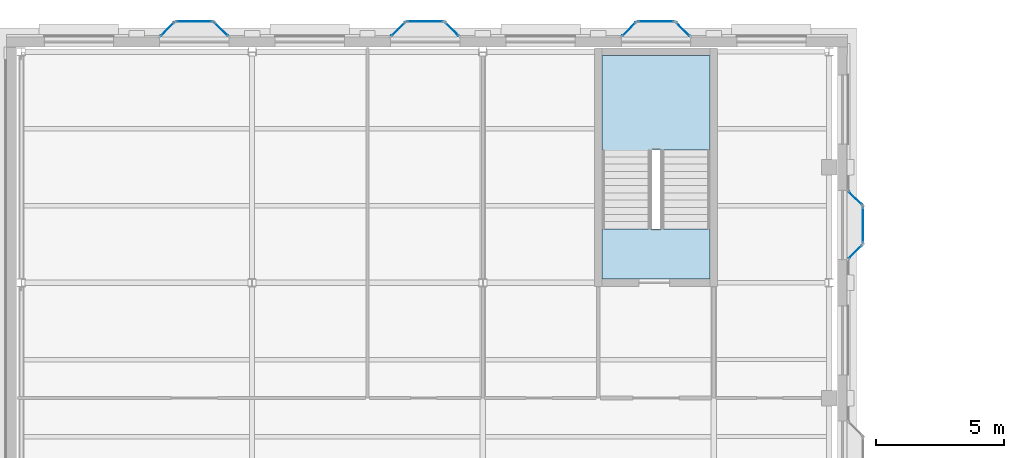
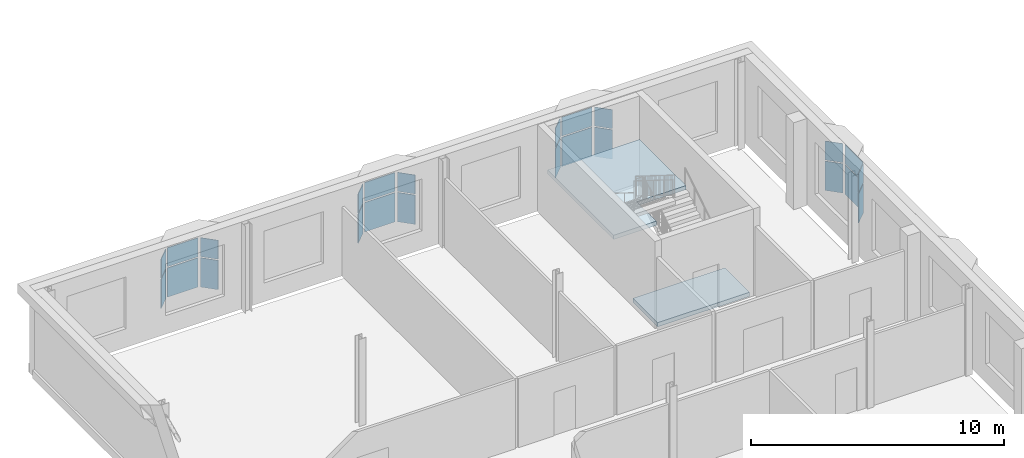
# One storey, part 31 of 62: 24 plates, 2 slabs, 13 elements without a shape of their own.
"""IFC4 building model written with IfcOpenShell, lengths in metres."""

from ifc_helpers import new_model, si_unit, direction, frame, origin, origin_2d, place, context, subcontext, project, spatial, polyline, rectangle, outline, extrude, material, layer, layer_set, type_object, element, aggregate, save


model = new_model("IFC4")

# Units and contexts
model_context = context("Model", 3, precision=1e-05, world=origin(), true_north=direction((0.0, 1.0)))
body_context = subcontext(model_context, "Body", "Model", "MODEL_VIEW")
ifc_project = project(units=[si_unit("LENGTHUNIT", "METRE"), si_unit("AREAUNIT", "SQUARE_METRE"), si_unit("VOLUMEUNIT", "CUBIC_METRE"), si_unit("PLANEANGLEUNIT", "RADIAN"), si_unit("MASSUNIT", "GRAM", prefix="KILO")], contexts=[model_context])

# Site, building, storey
site_placement = place(None, origin())
site = spatial("IfcSite", under=ifc_project, at=site_placement, CompositionType="ELEMENT")
building_placement = place(site_placement, origin())
building = spatial("IfcBuilding", under=site, at=building_placement, Name="Hortulan Conservatory and Botanical Research Centre", CompositionType="ELEMENT")
storey_placement = place(building_placement, frame((0.0, 0.0, 15.0)))
storey = spatial("IfcBuildingStorey", under=building, at=storey_placement, Name="L03", CompositionType="ELEMENT", Elevation=15.0)

# Curtain wall, plates
ifc_material_1 = material(Name="Bronze-finished aluminium", Category="aluminium")
ifc_layer_1 = layer(ifc_material_1, 0.10009765625)
ifc_layer_set_1 = layer_set([ifc_layer_1], Name="Oriel Curtain Wall 1350 module")
curtain_wall_type = type_object("IfcCurtainWallType", Name="Oriel Curtain Wall 1350 module", PredefinedType="NOTDEFINED", material=ifc_layer_set_1)
curtain_wall_1_placement = place(storey_placement, origin())
curtain_wall_1 = element("IfcCurtainWall", 1, at=curtain_wall_1_placement, inside=storey, type_object=curtain_wall_type, Name="Oriel glazing", PredefinedType="NOTDEFINED")
ifc_material_2 = material(Name="Low-e laminated glass", Category="glass")
ifc_layer_2 = layer(ifc_material_2, 0.028076171875)
ifc_layer_set_2 = layer_set([ifc_layer_2], Name="Laminated Glass Panel 28")
plate_type = type_object("IfcPlateType", Name="Laminated Glass Panel 28", PredefinedType="CURTAIN_PANEL", material=ifc_layer_set_2)
plate_1_placement = place(storey_placement, frame((5.699951171875, 72.885498046875, 0.9599609375), z_axis=(0.0, 0.0, 1.0), x_axis=(0.707106781187, 0.707106781187, 0.0)))
plate_1 = element("IfcPlate", 2, at=plate_1_placement, type_object=plate_type, Name="CW2 panel 1.1", PredefinedType="CURTAIN_PANEL", context=body_context, shape_type="SweptSolid", body=[
    extrude(rectangle(XDim=0.728515625, YDim=0.028076171875, at=origin_2d()), origin(), (0.0, 0.0, 1.0), 1.409912109375),
])
plate_2_placement = place(storey_placement, frame((5.699951171875, 72.885498046875, 2.43017578125), z_axis=(0.0, 0.0, 1.0), x_axis=(0.707106781187, 0.707106781187, 0.0)))
plate_2 = element("IfcPlate", 3, at=plate_2_placement, type_object=plate_type, Name="CW2 panel 1.2", PredefinedType="CURTAIN_PANEL", context=body_context, shape_type="SweptSolid", body=[
    extrude(rectangle(XDim=0.728515625, YDim=0.028076171875, at=origin_2d()), origin(), (0.0, 0.0, 1.0), 0.909912109375),
])
aggregate(curtain_wall_1, [plate_1, plate_2])

curtain_wall_2_placement = place(storey_placement, origin())
curtain_wall_2 = element("IfcCurtainWall", 4, at=curtain_wall_2_placement, inside=storey, type_object=curtain_wall_type, Name="Oriel glazing", PredefinedType="NOTDEFINED")
plate_3_placement = place(storey_placement, frame((6.75, 73.185546875, 0.9599609375), z_axis=(0.0, 0.0, 1.0), x_axis=(1.0, 0.0, 0.0)))
plate_3 = element("IfcPlate", 5, at=plate_3_placement, type_object=plate_type, Name="CW2 panel 1.1", PredefinedType="CURTAIN_PANEL", context=body_context, shape_type="SweptSolid", body=[
    extrude(rectangle(XDim=1.3798828125, YDim=0.028076171875, at=origin_2d()), origin(), (0.0, 0.0, 1.0), 1.409912109375),
])
plate_4_placement = place(storey_placement, frame((6.75, 73.185546875, 2.43017578125), z_axis=(0.0, 0.0, 1.0), x_axis=(1.0, 0.0, 0.0)))
plate_4 = element("IfcPlate", 6, at=plate_4_placement, type_object=plate_type, Name="CW2 panel 1.2", PredefinedType="CURTAIN_PANEL", context=body_context, shape_type="SweptSolid", body=[
    extrude(rectangle(XDim=1.3798828125, YDim=0.028076171875, at=origin_2d()), origin(), (0.0, 0.0, 1.0), 0.909912109375),
])
aggregate(curtain_wall_2, [plate_3, plate_4])

curtain_wall_3_placement = place(storey_placement, origin())
curtain_wall_3 = element("IfcCurtainWall", 7, at=curtain_wall_3_placement, inside=storey, type_object=curtain_wall_type, Name="Oriel glazing", PredefinedType="NOTDEFINED")
plate_5_placement = place(storey_placement, frame((7.800048828125, 72.885498046875, 0.9599609375), z_axis=(0.0, 0.0, 1.0), x_axis=(0.707106781187, -0.707106781187, 0.0)))
plate_5 = element("IfcPlate", 8, at=plate_5_placement, type_object=plate_type, Name="CW2 panel 1.1", PredefinedType="CURTAIN_PANEL", context=body_context, shape_type="SweptSolid", body=[
    extrude(rectangle(XDim=0.728515625, YDim=0.028076171875, at=origin_2d()), origin(), (0.0, 0.0, 1.0), 1.409912109375),
])
plate_6_placement = place(storey_placement, frame((7.800048828125, 72.885498046875, 2.43017578125), z_axis=(0.0, 0.0, 1.0), x_axis=(0.707106781187, -0.707106781187, 0.0)))
plate_6 = element("IfcPlate", 9, at=plate_6_placement, type_object=plate_type, Name="CW2 panel 1.2", PredefinedType="CURTAIN_PANEL", context=body_context, shape_type="SweptSolid", body=[
    extrude(rectangle(XDim=0.728515625, YDim=0.028076171875, at=origin_2d()), origin(), (0.0, 0.0, 1.0), 0.909912109375),
])
aggregate(curtain_wall_3, [plate_5, plate_6])

curtain_wall_4_placement = place(storey_placement, origin())
curtain_wall_4 = element("IfcCurtainWall", 10, at=curtain_wall_4_placement, inside=storey, type_object=curtain_wall_type, Name="Oriel glazing", PredefinedType="NOTDEFINED")
plate_7_placement = place(storey_placement, frame((14.699951171875, 72.885498046875, 0.9599609375), z_axis=(0.0, 0.0, 1.0), x_axis=(0.707106781187, 0.707106781187, 0.0)))
plate_7 = element("IfcPlate", 11, at=plate_7_placement, type_object=plate_type, Name="CW2 panel 1.1", PredefinedType="CURTAIN_PANEL", context=body_context, shape_type="SweptSolid", body=[
    extrude(rectangle(XDim=0.728515625, YDim=0.028076171875, at=origin_2d()), origin(), (0.0, 0.0, 1.0), 1.409912109375),
])
plate_8_placement = place(storey_placement, frame((14.699951171875, 72.885498046875, 2.43017578125), z_axis=(0.0, 0.0, 1.0), x_axis=(0.707106781187, 0.707106781187, 0.0)))
plate_8 = element("IfcPlate", 12, at=plate_8_placement, type_object=plate_type, Name="CW2 panel 1.2", PredefinedType="CURTAIN_PANEL", context=body_context, shape_type="SweptSolid", body=[
    extrude(rectangle(XDim=0.728515625, YDim=0.028076171875, at=origin_2d()), origin(), (0.0, 0.0, 1.0), 0.909912109375),
])
aggregate(curtain_wall_4, [plate_7, plate_8])

curtain_wall_5_placement = place(storey_placement, origin())
curtain_wall_5 = element("IfcCurtainWall", 13, at=curtain_wall_5_placement, inside=storey, type_object=curtain_wall_type, Name="Oriel glazing", PredefinedType="NOTDEFINED")
plate_9_placement = place(storey_placement, frame((15.75, 73.185546875, 0.9599609375), z_axis=(0.0, 0.0, 1.0), x_axis=(1.0, 0.0, 0.0)))
plate_9 = element("IfcPlate", 14, at=plate_9_placement, type_object=plate_type, Name="CW2 panel 1.1", PredefinedType="CURTAIN_PANEL", context=body_context, shape_type="SweptSolid", body=[
    extrude(rectangle(XDim=1.3798828125, YDim=0.028076171875, at=origin_2d()), origin(), (0.0, 0.0, 1.0), 1.409912109375),
])
plate_10_placement = place(storey_placement, frame((15.75, 73.185546875, 2.43017578125), z_axis=(0.0, 0.0, 1.0), x_axis=(1.0, 0.0, 0.0)))
plate_10 = element("IfcPlate", 15, at=plate_10_placement, type_object=plate_type, Name="CW2 panel 1.2", PredefinedType="CURTAIN_PANEL", context=body_context, shape_type="SweptSolid", body=[
    extrude(rectangle(XDim=1.3798828125, YDim=0.028076171875, at=origin_2d()), origin(), (0.0, 0.0, 1.0), 0.909912109375),
])
aggregate(curtain_wall_5, [plate_9, plate_10])

curtain_wall_6_placement = place(storey_placement, origin())
curtain_wall_6 = element("IfcCurtainWall", 16, at=curtain_wall_6_placement, inside=storey, type_object=curtain_wall_type, Name="Oriel glazing", PredefinedType="NOTDEFINED")
plate_11_placement = place(storey_placement, frame((16.800048828125, 72.885498046875, 0.9599609375), z_axis=(0.0, 0.0, 1.0), x_axis=(0.707106781187, -0.707106781187, 0.0)))
plate_11 = element("IfcPlate", 17, at=plate_11_placement, type_object=plate_type, Name="CW2 panel 1.1", PredefinedType="CURTAIN_PANEL", context=body_context, shape_type="SweptSolid", body=[
    extrude(rectangle(XDim=0.728515625, YDim=0.028076171875, at=origin_2d()), origin(), (0.0, 0.0, 1.0), 1.409912109375),
])
plate_12_placement = place(storey_placement, frame((16.800048828125, 72.885498046875, 2.43017578125), z_axis=(0.0, 0.0, 1.0), x_axis=(0.707106781187, -0.707106781187, 0.0)))
plate_12 = element("IfcPlate", 18, at=plate_12_placement, type_object=plate_type, Name="CW2 panel 1.2", PredefinedType="CURTAIN_PANEL", context=body_context, shape_type="SweptSolid", body=[
    extrude(rectangle(XDim=0.728515625, YDim=0.028076171875, at=origin_2d()), origin(), (0.0, 0.0, 1.0), 0.909912109375),
])
aggregate(curtain_wall_6, [plate_11, plate_12])

curtain_wall_7_placement = place(storey_placement, origin())
curtain_wall_7 = element("IfcCurtainWall", 19, at=curtain_wall_7_placement, inside=storey, type_object=curtain_wall_type, Name="Oriel glazing", PredefinedType="NOTDEFINED")
plate_13_placement = place(storey_placement, frame((23.699951171875, 72.885498046875, 0.9599609375), z_axis=(0.0, 0.0, 1.0), x_axis=(0.707106781187, 0.707106781187, 0.0)))
plate_13 = element("IfcPlate", 20, at=plate_13_placement, type_object=plate_type, Name="CW2 panel 1.1", PredefinedType="CURTAIN_PANEL", context=body_context, shape_type="SweptSolid", body=[
    extrude(rectangle(XDim=0.728515625, YDim=0.028076171875, at=origin_2d()), origin(), (0.0, 0.0, 1.0), 1.409912109375),
])
plate_14_placement = place(storey_placement, frame((23.699951171875, 72.885498046875, 2.43017578125), z_axis=(0.0, 0.0, 1.0), x_axis=(0.707106781187, 0.707106781187, 0.0)))
plate_14 = element("IfcPlate", 21, at=plate_14_placement, type_object=plate_type, Name="CW2 panel 1.2", PredefinedType="CURTAIN_PANEL", context=body_context, shape_type="SweptSolid", body=[
    extrude(rectangle(XDim=0.728515625, YDim=0.028076171875, at=origin_2d()), origin(), (0.0, 0.0, 1.0), 0.909912109375),
])
aggregate(curtain_wall_7, [plate_13, plate_14])

curtain_wall_8_placement = place(storey_placement, origin())
curtain_wall_8 = element("IfcCurtainWall", 22, at=curtain_wall_8_placement, inside=storey, type_object=curtain_wall_type, Name="Oriel glazing", PredefinedType="NOTDEFINED")
plate_15_placement = place(storey_placement, frame((24.75, 73.185546875, 0.9599609375), z_axis=(0.0, 0.0, 1.0), x_axis=(1.0, 0.0, 0.0)))
plate_15 = element("IfcPlate", 23, at=plate_15_placement, type_object=plate_type, Name="CW2 panel 1.1", PredefinedType="CURTAIN_PANEL", context=body_context, shape_type="SweptSolid", body=[
    extrude(rectangle(XDim=1.3798828125, YDim=0.028076171875, at=origin_2d()), origin(), (0.0, 0.0, 1.0), 1.409912109375),
])
plate_16_placement = place(storey_placement, frame((24.75, 73.185546875, 2.43017578125), z_axis=(0.0, 0.0, 1.0), x_axis=(1.0, 0.0, 0.0)))
plate_16 = element("IfcPlate", 24, at=plate_16_placement, type_object=plate_type, Name="CW2 panel 1.2", PredefinedType="CURTAIN_PANEL", context=body_context, shape_type="SweptSolid", body=[
    extrude(rectangle(XDim=1.3798828125, YDim=0.028076171875, at=origin_2d()), origin(), (0.0, 0.0, 1.0), 0.909912109375),
])
aggregate(curtain_wall_8, [plate_15, plate_16])

curtain_wall_9_placement = place(storey_placement, origin())
curtain_wall_9 = element("IfcCurtainWall", 25, at=curtain_wall_9_placement, inside=storey, type_object=curtain_wall_type, Name="Oriel glazing", PredefinedType="NOTDEFINED")
plate_17_placement = place(storey_placement, frame((25.800048828125, 72.885498046875, 0.9599609375), z_axis=(0.0, 0.0, 1.0), x_axis=(0.707106781187, -0.707106781187, 0.0)))
plate_17 = element("IfcPlate", 26, at=plate_17_placement, type_object=plate_type, Name="CW2 panel 1.1", PredefinedType="CURTAIN_PANEL", context=body_context, shape_type="SweptSolid", body=[
    extrude(rectangle(XDim=0.728515625, YDim=0.028076171875, at=origin_2d()), origin(), (0.0, 0.0, 1.0), 1.409912109375),
])
plate_18_placement = place(storey_placement, frame((25.800048828125, 72.885498046875, 2.43017578125), z_axis=(0.0, 0.0, 1.0), x_axis=(0.707106781187, -0.707106781187, 0.0)))
plate_18 = element("IfcPlate", 27, at=plate_18_placement, type_object=plate_type, Name="CW2 panel 1.2", PredefinedType="CURTAIN_PANEL", context=body_context, shape_type="SweptSolid", body=[
    extrude(rectangle(XDim=0.728515625, YDim=0.028076171875, at=origin_2d()), origin(), (0.0, 0.0, 1.0), 0.909912109375),
])
aggregate(curtain_wall_9, [plate_17, plate_18])

curtain_wall_10_placement = place(storey_placement, origin())
curtain_wall_10 = element("IfcCurtainWall", 28, at=curtain_wall_10_placement, inside=storey, type_object=curtain_wall_type, Name="Oriel glazing", PredefinedType="NOTDEFINED")
plate_19_placement = place(storey_placement, frame((32.52490234375, 66.300048828125, 0.9599609375), z_axis=(0.0, 0.0, 1.0), x_axis=(0.707106781187, -0.707106781187, 0.0)))
plate_19 = element("IfcPlate", 29, at=plate_19_placement, type_object=plate_type, Name="CW2 panel 1.1", PredefinedType="CURTAIN_PANEL", context=body_context, shape_type="SweptSolid", body=[
    extrude(rectangle(XDim=0.728515625, YDim=0.028076171875, at=origin_2d()), origin(), (0.0, 0.0, 1.0), 1.409912109375),
])
plate_20_placement = place(storey_placement, frame((32.52490234375, 66.300048828125, 2.43017578125), z_axis=(0.0, 0.0, 1.0), x_axis=(0.707106781187, -0.707106781187, 0.0)))
plate_20 = element("IfcPlate", 30, at=plate_20_placement, type_object=plate_type, Name="CW2 panel 1.2", PredefinedType="CURTAIN_PANEL", context=body_context, shape_type="SweptSolid", body=[
    extrude(rectangle(XDim=0.728515625, YDim=0.028076171875, at=origin_2d()), origin(), (0.0, 0.0, 1.0), 0.909912109375),
])
aggregate(curtain_wall_10, [plate_19, plate_20])

curtain_wall_11_placement = place(storey_placement, origin())
curtain_wall_11 = element("IfcCurtainWall", 31, at=curtain_wall_11_placement, inside=storey, type_object=curtain_wall_type, Name="Oriel glazing", PredefinedType="NOTDEFINED")
plate_21_placement = place(storey_placement, frame((32.824951171875, 65.25, 0.9599609375), z_axis=(0.0, 0.0, 1.0), x_axis=(0.0, -1.0, 0.0)))
plate_21 = element("IfcPlate", 32, at=plate_21_placement, type_object=plate_type, Name="CW2 panel 1.1", PredefinedType="CURTAIN_PANEL", context=body_context, shape_type="SweptSolid", body=[
    extrude(rectangle(XDim=1.3798828125, YDim=0.028076171875, at=origin_2d()), origin(), (0.0, 0.0, 1.0), 1.409912109375),
])
plate_22_placement = place(storey_placement, frame((32.824951171875, 65.25, 2.43017578125), z_axis=(0.0, 0.0, 1.0), x_axis=(0.0, -1.0, 0.0)))
plate_22 = element("IfcPlate", 33, at=plate_22_placement, type_object=plate_type, Name="CW2 panel 1.2", PredefinedType="CURTAIN_PANEL", context=body_context, shape_type="SweptSolid", body=[
    extrude(rectangle(XDim=1.3798828125, YDim=0.028076171875, at=origin_2d()), origin(), (0.0, 0.0, 1.0), 0.909912109375),
])
aggregate(curtain_wall_11, [plate_21, plate_22])

curtain_wall_12_placement = place(storey_placement, origin())
curtain_wall_12 = element("IfcCurtainWall", 34, at=curtain_wall_12_placement, inside=storey, type_object=curtain_wall_type, Name="Oriel glazing", PredefinedType="NOTDEFINED")
plate_23_placement = place(storey_placement, frame((32.52490234375, 64.199951171875, 0.9599609375), z_axis=(0.0, 0.0, 1.0), x_axis=(-0.707106781187, -0.707106781187, 0.0)))
plate_23 = element("IfcPlate", 35, at=plate_23_placement, type_object=plate_type, Name="CW2 panel 1.1", PredefinedType="CURTAIN_PANEL", context=body_context, shape_type="SweptSolid", body=[
    extrude(rectangle(XDim=0.728515625, YDim=0.028076171875, at=origin_2d()), origin(), (0.0, 0.0, 1.0), 1.409912109375),
])
plate_24_placement = place(storey_placement, frame((32.52490234375, 64.199951171875, 2.43017578125), z_axis=(0.0, 0.0, 1.0), x_axis=(-0.707106781187, -0.707106781187, 0.0)))
plate_24 = element("IfcPlate", 36, at=plate_24_placement, type_object=plate_type, Name="CW2 panel 1.2", PredefinedType="CURTAIN_PANEL", context=body_context, shape_type="SweptSolid", body=[
    extrude(rectangle(XDim=0.728515625, YDim=0.028076171875, at=origin_2d()), origin(), (0.0, 0.0, 1.0), 0.909912109375),
])
aggregate(curtain_wall_12, [plate_23, plate_24])

# Stair, slab
ifc_material_3 = material(Name="Concrete N40 (40 MPa, AS 3600)", Category="concrete")
stair_type = type_object("IfcStairType", Name="Concrete Escape Stair 1950", PredefinedType="HALF_TURN_STAIR", material=ifc_material_3)
stair_placement = place(storey_placement, origin())
stair = element("IfcStair", 37, at=stair_placement, inside=storey, type_object=stair_type, Name="Stair V2 L03", PredefinedType="HALF_TURN_STAIR")
ifc_layer_3 = layer(ifc_material_3, 0.199951171875)
ifc_layer_set_3 = layer_set([ifc_layer_3], Name="Stair Landing 200")
slab_type = type_object("IfcSlabType", Name="Stair Landing 200", PredefinedType="LANDING", material=ifc_layer_set_3)
slab_1_placement = place(storey_placement, frame((0.0, 0.0, 1.89990234375)))
slab_1 = element("IfcSlab", 38, at=slab_1_placement, type_object=slab_type, Name="Stair V2 L03 half landing 1", PredefinedType="LANDING", context=body_context, shape_type="SweptSolid", body=[
    extrude(outline(polyline([(26.85009765625, 68.179443359375), (24.60009765625, 68.179443359375), (24.60009765625, 66.639892578125), (22.64990234375, 66.639892578125), (22.64990234375, 68.179443359375), (22.64990234375, 68.179931640625), (22.64990234375, 68.18994140625), (22.64990234375, 71.85009765625), (26.85009765625, 71.85009765625), (26.85009765625, 68.18994140625), (26.85009765625, 68.179931640625), (26.85009765625, 68.179443359375)])), origin(), (0.0, 0.0, 1.0), 0.2001953125),
])
aggregate(stair, [slab_1])

# Slab
slab_2_placement = place(storey_placement, frame((0.0, 0.0, -0.199951171875)))
element("IfcSlab", 39, at=slab_2_placement, inside=storey, type_object=slab_type, Name="Stair V2 floor landing L03", PredefinedType="LANDING", context=body_context, shape_type="SweptSolid", body=[
    extrude(outline(polyline([(26.85009765625, 63.14990234375), (22.64990234375, 63.14990234375), (22.64990234375, 65.10009765625), (26.85009765625, 65.10009765625), (26.85009765625, 63.14990234375)])), origin(), (0.0, 0.0, 1.0), 0.199951171875),
])

save(model, "model.ifc")
